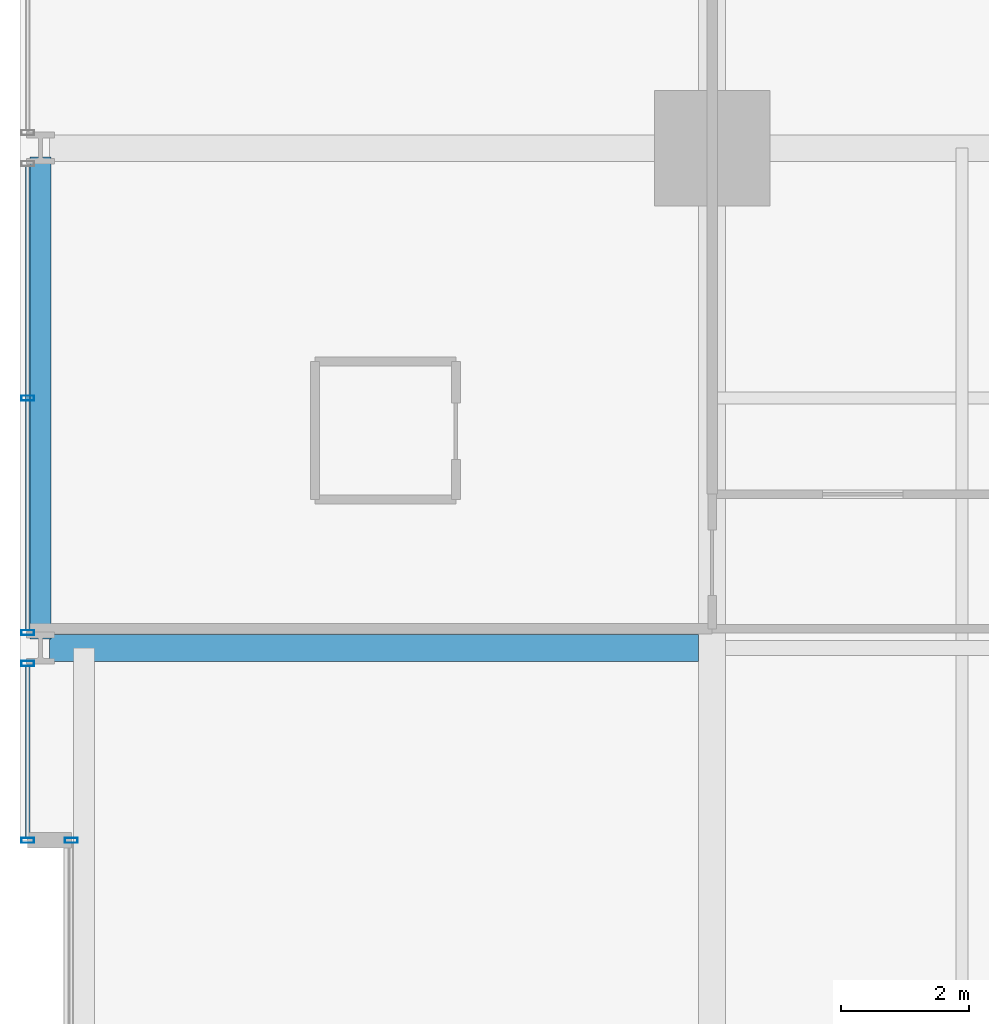
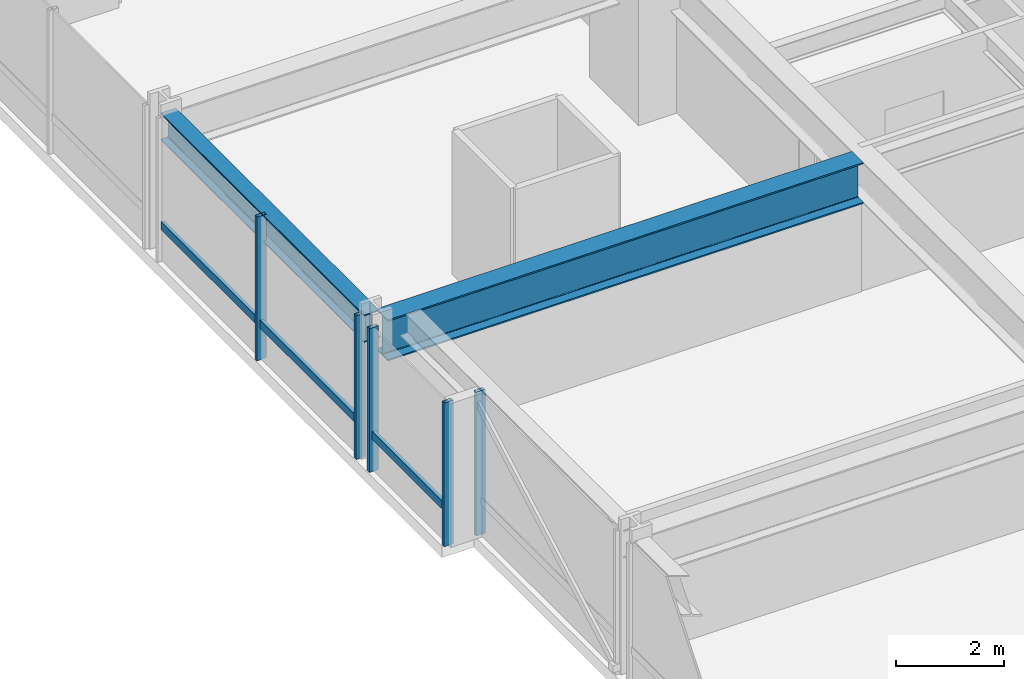
# One storey, part 17 of 37: 7 members, 2 beams, 3 elements without a shape of their own.
"""IFC4 building model written with IfcOpenShell, lengths in metres."""

from ifc_helpers import new_model, si_unit, direction, frame, origin, origin_2d, place, context, subcontext, project, spatial, hollow_rectangle, i_section, extrude, material, layer, layer_set, material_profile, profile_set, type_object, element, aggregate, save


model = new_model("IFC4")

# Units and contexts
model_context = context("Model", 3, precision=1e-05, world=origin(), true_north=direction((0.0, 1.0)))
body_context = subcontext(model_context, "Body", "Model", "MODEL_VIEW")
ifc_project = project(units=[si_unit("LENGTHUNIT", "METRE"), si_unit("AREAUNIT", "SQUARE_METRE"), si_unit("VOLUMEUNIT", "CUBIC_METRE"), si_unit("PLANEANGLEUNIT", "RADIAN"), si_unit("MASSUNIT", "GRAM", prefix="KILO")], contexts=[model_context])

# Site, building, storey
site_placement = place(None, origin())
site = spatial("IfcSite", under=ifc_project, at=site_placement, CompositionType="ELEMENT")
building_placement = place(site_placement, origin())
building = spatial("IfcBuilding", under=site, at=building_placement, Name="Drelvath Grand Hotel", CompositionType="ELEMENT")
storey_placement = place(building_placement, frame((0.0, 0.0, 43.699951171875)))
storey = spatial("IfcBuildingStorey", under=building, at=storey_placement, Name="L09", CompositionType="ELEMENT", Elevation=43.699951171875)

# Curtain wall, member
ifc_material_1 = material(Name="Warm Bronze Anodised Aluminium Frame", Category="aluminium")
ifc_layer = layer(ifc_material_1, 0.199951171875)
ifc_layer_set = layer_set([ifc_layer], Name="Warm Bronze Anodised Aluminium Frame")
curtain_wall_type = type_object("IfcCurtainWallType", Name="Stick Curtain Wall CW-02 Warm Bronze Low-Rise", PredefinedType="NOTDEFINED", material=ifc_layer_set)
curtain_wall_1_placement = place(storey_placement, origin())
curtain_wall_1 = element("IfcCurtainWall", 1, at=curtain_wall_1_placement, inside=storey, type_object=curtain_wall_type, Name="L09 CW-02 Curtain Wall CW02-L09-WN1", PredefinedType="NOTDEFINED")
ifc_material_profile_1 = material_profile(ifc_material_1, hollow_rectangle(XDim=0.074951171875, YDim=0.179931640625, WallThickness=0.0048828125, at=origin_2d()), Name="HSS180X75X5")
ifc_profile_set_1 = profile_set([ifc_material_profile_1], Name="Warm Bronze Anodised Aluminium Frame")
member_type_1 = type_object("IfcMemberType", Name="Curtain Wall Horizontal Transom CW-02 HSS180X75X5", PredefinedType="USERDEFINED", material=ifc_profile_set_1)
member_1_placement = place(storey_placement, frame((-26.8798828125, 32.43994140625, 0.81005859375), z_axis=(0.0, 1.0, 0.0), x_axis=(-1.0, 0.0, 0.0)))
member_1 = element("IfcMember", 2, at=member_1_placement, type_object=member_type_1, Name="CW02-L09-WN1 Sill Transom", ObjectType="TRANSOM", PredefinedType="USERDEFINED", context=body_context, shape_type="SweptSolid", body=[
    extrude(hollow_rectangle(XDim=0.074951171875, YDim=0.179931640625, WallThickness=0.0048828125, at=origin_2d()), origin(), (0.0, 0.0, 1.0), 2.67919921875),
])

curtain_wall_2_placement = place(storey_placement, origin())
curtain_wall_2 = element("IfcCurtainWall", 3, at=curtain_wall_2_placement, inside=storey, type_object=curtain_wall_type, Name="L09 CW-02 Curtain Wall CW02-L09-WN2", PredefinedType="NOTDEFINED")
member_2_placement = place(storey_placement, frame((-26.8798828125, 35.680908203125, 0.81005859375), z_axis=(0.0, 1.0, 0.0), x_axis=(-1.0, 0.0, 0.0)))
member_2 = element("IfcMember", 4, at=member_2_placement, type_object=member_type_1, Name="CW02-L09-WN2 Sill Transom", ObjectType="TRANSOM", PredefinedType="USERDEFINED", context=body_context, shape_type="SweptSolid", body=[
    extrude(hollow_rectangle(XDim=0.074951171875, YDim=0.179931640625, WallThickness=0.0048828125, at=origin_2d()), origin(), (0.0, 0.0, 1.0), 7.23828125),
])

curtain_wall_3_placement = place(storey_placement, origin())
curtain_wall_3 = element("IfcCurtainWall", 5, at=curtain_wall_3_placement, inside=storey, type_object=curtain_wall_type, Name="L09 CW-02 Curtain Wall CW02-L09-WM2", PredefinedType="NOTDEFINED")
ifc_material_profile_2 = material_profile(ifc_material_1, hollow_rectangle(XDim=0.080078125, YDim=0.199951171875, WallThickness=0.0048828125, at=origin_2d()), Name="HSS200X80X5")
ifc_profile_set_2 = profile_set([ifc_material_profile_2], Name="Warm Bronze Anodised Aluminium Frame")
member_type_2 = type_object("IfcMemberType", Name="Curtain Wall Vertical Mullion CW-02 HSS200X80X5", PredefinedType="MULLION", material=ifc_profile_set_2)
member_3_placement = place(storey_placement, frame((-26.199951171875, 32.39990234375, 0.0), z_axis=(0.0, 0.0, 1.0), x_axis=(0.0, 1.0, 0.0)))
member_3 = element("IfcMember", 6, at=member_3_placement, type_object=member_type_2, Name="CW02-L09-WM2 Mullion 2", PredefinedType="MULLION", context=body_context, shape_type="SweptSolid", body=[
    extrude(hollow_rectangle(XDim=0.080078125, YDim=0.199951171875, WallThickness=0.0048828125, at=origin_2d()), origin(), (0.0, 0.0, 1.0), 3.239990234375),
])
aggregate(curtain_wall_3, [member_3])

# Member
member_4_placement = place(storey_placement, frame((-26.8798828125, 32.39990234375, 0.0), z_axis=(0.0, 0.0, 1.0), x_axis=(0.0, 1.0, 0.0)))
member_4 = element("IfcMember", 7, at=member_4_placement, type_object=member_type_2, Name="CW02-L09-WN1 Mullion 1", PredefinedType="MULLION", context=body_context, shape_type="SweptSolid", body=[
    extrude(hollow_rectangle(XDim=0.080078125, YDim=0.199951171875, WallThickness=0.0048828125, at=origin_2d()), origin(), (0.0, 0.0, 1.0), 3.239990234375),
])

member_5_placement = place(storey_placement, frame((-26.8798828125, 35.1591796875, 0.0), z_axis=(0.0, 0.0, 1.0), x_axis=(0.0, 1.0, 0.0)))
member_5 = element("IfcMember", 8, at=member_5_placement, type_object=member_type_2, Name="CW02-L09-WN1 Mullion 2", PredefinedType="MULLION", context=body_context, shape_type="SweptSolid", body=[
    extrude(hollow_rectangle(XDim=0.080078125, YDim=0.199951171875, WallThickness=0.0048828125, at=origin_2d()), origin(), (0.0, 0.0, 1.0), 3.239990234375),
])

aggregate(curtain_wall_1, [member_4, member_5, member_1])

member_6_placement = place(storey_placement, frame((-26.8798828125, 35.640869140625, 0.0), z_axis=(0.0, 0.0, 1.0), x_axis=(0.0, 1.0, 0.0)))
member_6 = element("IfcMember", 9, at=member_6_placement, type_object=member_type_2, Name="CW02-L09-WN2 Mullion 1", PredefinedType="MULLION", context=body_context, shape_type="SweptSolid", body=[
    extrude(hollow_rectangle(XDim=0.080078125, YDim=0.199951171875, WallThickness=0.0048828125, at=origin_2d()), origin(), (0.0, 0.0, 1.0), 3.239990234375),
])

member_7_placement = place(storey_placement, frame((-26.8798828125, 39.300048828125, 0.0), z_axis=(0.0, 0.0, 1.0), x_axis=(0.0, 1.0, 0.0)))
member_7 = element("IfcMember", 10, at=member_7_placement, type_object=member_type_2, Name="CW02-L09-WN2 Mullion 2", PredefinedType="MULLION", context=body_context, shape_type="SweptSolid", body=[
    extrude(hollow_rectangle(XDim=0.080078125, YDim=0.199951171875, WallThickness=0.0048828125, at=origin_2d()), origin(), (0.0, 0.0, 1.0), 3.239990234375),
])

aggregate(curtain_wall_2, [member_6, member_7, member_2])

# Beams
ifc_material_2 = material(Name="Steel ASTM A992 Gr 50", Category="steel")
ifc_material_profile_3 = material_profile(ifc_material_2, i_section(OverallWidth=0.323974609375, OverallDepth=0.611083984375, WebThickness=0.0126953125, FlangeThickness=0.01904296875, FilletRadius=0.02197265625, at=origin_2d()), Name="W24X104")
ifc_profile_set_3 = profile_set([ifc_material_profile_3], Name="Steel ASTM A992 Gr 50")
beam_type_1 = type_object("IfcBeamType", Name="Perimeter Spandrel Beam W24X104", PredefinedType="SPANDREL", material=ifc_profile_set_3)
beam_1_placement = place(storey_placement, frame((-26.679931640625, 35.5400390625, 2.9345703125), z_axis=(0.0, 1.0, 0.0), x_axis=(-1.0, 0.0, 0.0)))
element("IfcBeam", 11, at=beam_1_placement, inside=storey, type_object=beam_type_1, Name="L09 Spandrel West N", PredefinedType="SPANDREL", context=body_context, shape_type="SweptSolid", body=[
    extrude(i_section(OverallWidth=0.323974609375, OverallDepth=0.611083984375, WebThickness=0.0126953125, FlangeThickness=0.01904296875, FilletRadius=0.02197265625, at=origin_2d()), origin(), (0.0, 0.0, 1.0), 7.52001953125),
])
ifc_material_profile_4 = material_profile(ifc_material_2, i_section(OverallWidth=0.418212890625, OverallDepth=0.926513671875, WebThickness=0.019287109375, FlangeThickness=0.031982421875, FilletRadius=0.028076171875, at=origin_2d()), Name="W36X231")
ifc_profile_set_4 = profile_set([ifc_material_profile_4], Name="Steel ASTM A992 Gr 50")
beam_type_2 = type_object("IfcBeamType", Name="Primary Floor Girder W36X231", PredefinedType="BEAM", material=ifc_profile_set_4)
beam_2_placement = place(storey_placement, frame((-26.5400390625, 35.39990234375, 2.77685546875), z_axis=(1.0, 0.0, 0.0), x_axis=(0.0, 1.0, 0.0)))
element("IfcBeam", 12, at=beam_2_placement, inside=storey, type_object=beam_type_2, Name="L09 West Wing Girder F", PredefinedType="BEAM", context=body_context, shape_type="SweptSolid", body=[
    extrude(i_section(OverallWidth=0.418212890625, OverallDepth=0.926513671875, WebThickness=0.019287109375, FlangeThickness=0.031982421875, FilletRadius=0.028076171875, at=origin_2d()), origin(), (0.0, 0.0, 1.0), 10.130859375),
])

save(model, "model.ifc")
